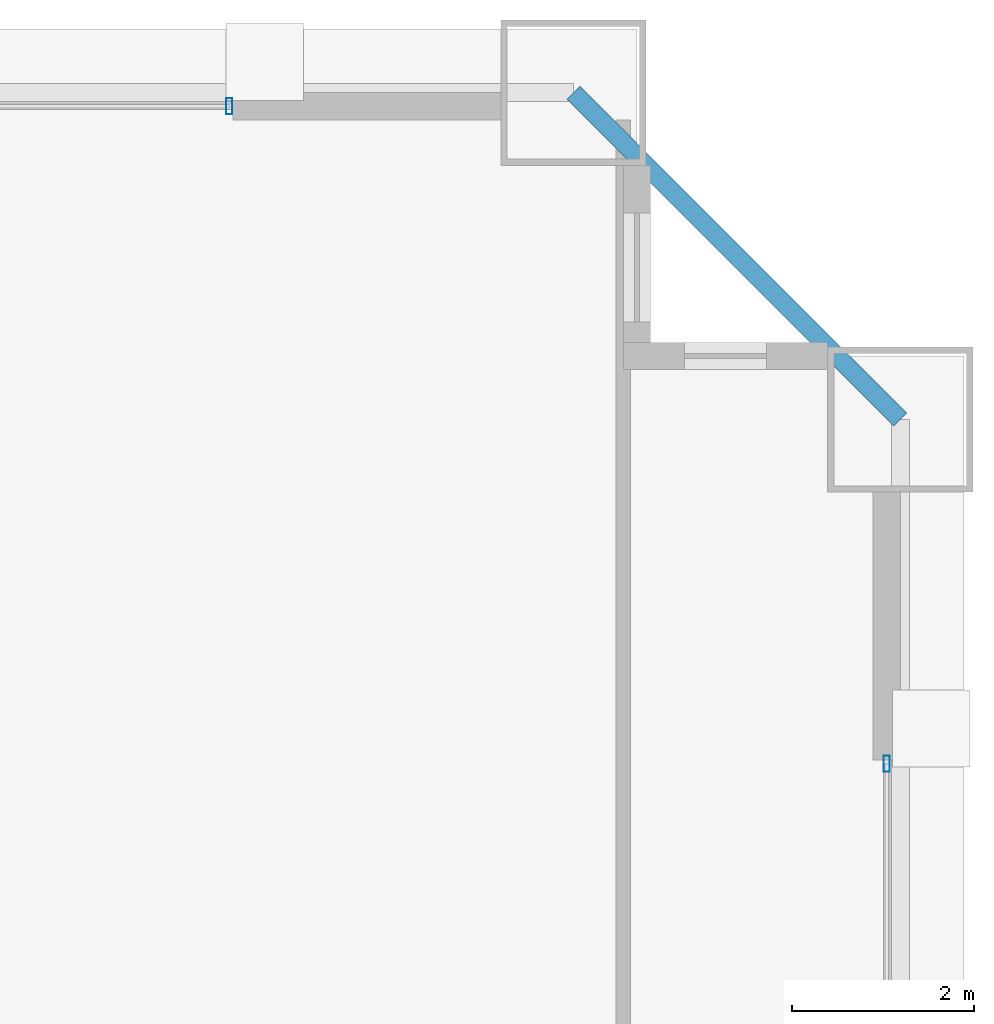
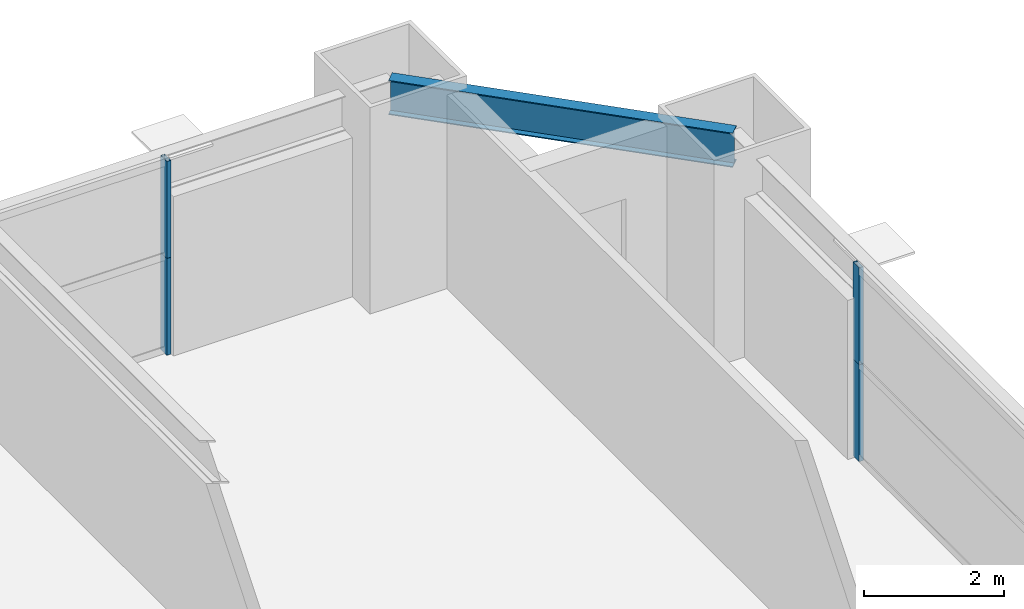
# One storey, part 33 of 39: 4 members, 1 beam, 2 elements without a shape of their own.
"""IFC4 building model written with IfcOpenShell, lengths in metres."""

from ifc_helpers import new_model, si_unit, direction, frame, origin, origin_2d, place, context, subcontext, project, spatial, hollow_rectangle, i_section, extrude, source, transform, mapped, material, layer, layer_set, material_profile, profile_set, type_object, element, aggregate, save


model = new_model("IFC4")

# Units and contexts
model_context = context("Model", 3, precision=1e-05, world=origin(), true_north=direction((0.0, 1.0)))
body_context = subcontext(model_context, "Body", "Model", "MODEL_VIEW")
ifc_project = project(units=[si_unit("LENGTHUNIT", "METRE"), si_unit("AREAUNIT", "SQUARE_METRE"), si_unit("VOLUMEUNIT", "CUBIC_METRE"), si_unit("PLANEANGLEUNIT", "RADIAN"), si_unit("MASSUNIT", "GRAM", prefix="KILO"), si_unit("THERMODYNAMICTEMPERATUREUNIT", "KELVIN"), si_unit("POWERUNIT", "WATT")], contexts=[model_context])

# Site, building, storey
site_placement = place(None, origin())
site = spatial("IfcSite", under=ifc_project, at=site_placement, CompositionType="ELEMENT")
building_placement = place(site_placement, origin())
building = spatial("IfcBuilding", under=site, at=building_placement, Name="Yuzanri Waterfront Tower", CompositionType="ELEMENT")
storey_placement = place(building_placement, frame((0.0, 0.0, 156.0)))
storey = spatial("IfcBuildingStorey", under=building, at=storey_placement, Name="L41", CompositionType="ELEMENT", Elevation=156.0)

# Beam
ifc_material_1 = material(Name="Steel Q355B", Category="steel")
ifc_material_profile_1 = material_profile(ifc_material_1, i_section(OverallWidth=0.199951171875, OverallDepth=0.60009765625, WebThickness=0.010986328125, FlangeThickness=0.01708984375, at=origin_2d()), Name="HN 600x200x11x17")
ifc_profile_set_1 = profile_set([ifc_material_profile_1], Name="Steel Q355B")
beam_type = type_object("IfcBeamType", Name="Perimeter Spandrel Q355B HN 600x200", PredefinedType="SPANDREL", material=ifc_profile_set_1)
shared_shape_1 = source(origin(), body_context, "Body", "SweptSolid", [
    extrude(i_section(OverallWidth=0.199951171875, OverallDepth=0.60009765625, WebThickness=0.010986328125, FlangeThickness=0.01708984375, at=origin_2d()), origin(), (0.0, 0.0, 1.0), 5.091064453125),
])
beam_placement = place(storey_placement, frame((60.60009765625, 45.800048828125, 3.080078125), z_axis=(-0.707130757816, 0.707082803744, 0.0), x_axis=(-0.707082803744, -0.707130757816, 0.0)))
element("IfcBeam", 1, at=beam_placement, inside=storey, type_object=beam_type, Name="L41 Perimeter Spandrel E3-N3", PredefinedType="SPANDREL", context=body_context, shape_type="MappedRepresentation", body=[
    mapped(shared_shape_1, transform((0.0, 0.0, 0.0), scale=1.0)),
])

# Curtain wall, members
ifc_material_2 = material(Name="Anodized Architectural Bronze", Category="metal")
ifc_layer = layer(ifc_material_2, 0.159912109375)
ifc_layer_set = layer_set([ifc_layer], Name="Anodized Architectural Bronze")
curtain_wall_type = type_object("IfcCurtainWallType", Name="Anodized Bronze Hotel Upper-Tier Solar-Control Unitized Curtain Wall 7800", PredefinedType="NOTDEFINED", material=ifc_layer_set)
curtain_wall_1_placement = place(storey_placement, origin())
curtain_wall_1 = element("IfcCurtainWall", 2, at=curtain_wall_1_placement, inside=storey, type_object=curtain_wall_type, Name="L41 Curtain Wall CW-L41-NR", PredefinedType="NOTDEFINED")
ifc_material_3 = material(Name="Anodized Architectural Bronze", Category="metal")
ifc_material_profile_2 = material_profile(ifc_material_3, hollow_rectangle(XDim=0.070068359375, YDim=0.179931640625, WallThickness=0.00390625, at=origin_2d()), Name="CWM 70x180")
ifc_profile_set_2 = profile_set([ifc_material_profile_2], Name="Anodized Architectural Bronze")
member_type = type_object("IfcMemberType", Name="Anodized Bronze Standard Curtain-Wall Mullion 70x180", PredefinedType="MULLION", material=ifc_profile_set_2)
shared_shape_2 = source(origin(), body_context, "Body", "SweptSolid", [
    extrude(hollow_rectangle(XDim=0.070068359375, YDim=0.179931640625, WallThickness=0.00390625, at=origin_2d()), origin(), (0.0, 0.0, 1.0), 1.68798828125),
])
member_1_placement = place(storey_placement, frame((53.2099609375, 49.25, 0.0), z_axis=(0.0, 0.0, 1.0), x_axis=(1.0, 0.0, 0.0)))
member_1 = element("IfcMember", 3, at=member_1_placement, type_object=member_type, Name="CW-L41-NR Lower Mullion 02", PredefinedType="MULLION", context=body_context, shape_type="MappedRepresentation", body=[
    mapped(shared_shape_2, transform((0.0, 0.0, 0.0), scale=1.0)),
])
member_2_placement = place(storey_placement, frame((53.2099609375, 49.25, 1.69189453125), z_axis=(0.0, 0.0, 1.0), x_axis=(1.0, 0.0, 0.0)))
member_2 = element("IfcMember", 4, at=member_2_placement, type_object=member_type, Name="CW-L41-NR Upper Mullion 02", PredefinedType="MULLION", context=body_context, shape_type="MappedRepresentation", body=[
    mapped(shared_shape_2, transform((0.0, 0.0, 0.0), scale=1.0)),
])
aggregate(curtain_wall_1, [member_1, member_2])

curtain_wall_2_placement = place(storey_placement, origin())
curtain_wall_2 = element("IfcCurtainWall", 5, at=curtain_wall_2_placement, inside=storey, type_object=curtain_wall_type, Name="L41 Curtain Wall CW-L41-ER", PredefinedType="NOTDEFINED")
member_3_placement = place(storey_placement, frame((60.449951171875, 42.010009765625, 0.0), z_axis=(0.0, 0.0, 1.0), x_axis=(1.0, 0.0, 0.0)))
member_3 = element("IfcMember", 6, at=member_3_placement, type_object=member_type, Name="CW-L41-ER Lower Mullion 02", PredefinedType="MULLION", context=body_context, shape_type="MappedRepresentation", body=[
    mapped(shared_shape_2, transform((0.0, 0.0, 0.0), scale=1.0)),
])
member_4_placement = place(storey_placement, frame((60.449951171875, 42.010009765625, 1.69189453125), z_axis=(0.0, 0.0, 1.0), x_axis=(1.0, 0.0, 0.0)))
member_4 = element("IfcMember", 7, at=member_4_placement, type_object=member_type, Name="CW-L41-ER Upper Mullion 02", PredefinedType="MULLION", context=body_context, shape_type="MappedRepresentation", body=[
    mapped(shared_shape_2, transform((0.0, 0.0, 0.0), scale=1.0)),
])
aggregate(curtain_wall_2, [member_3, member_4])

save(model, "model.ifc")
